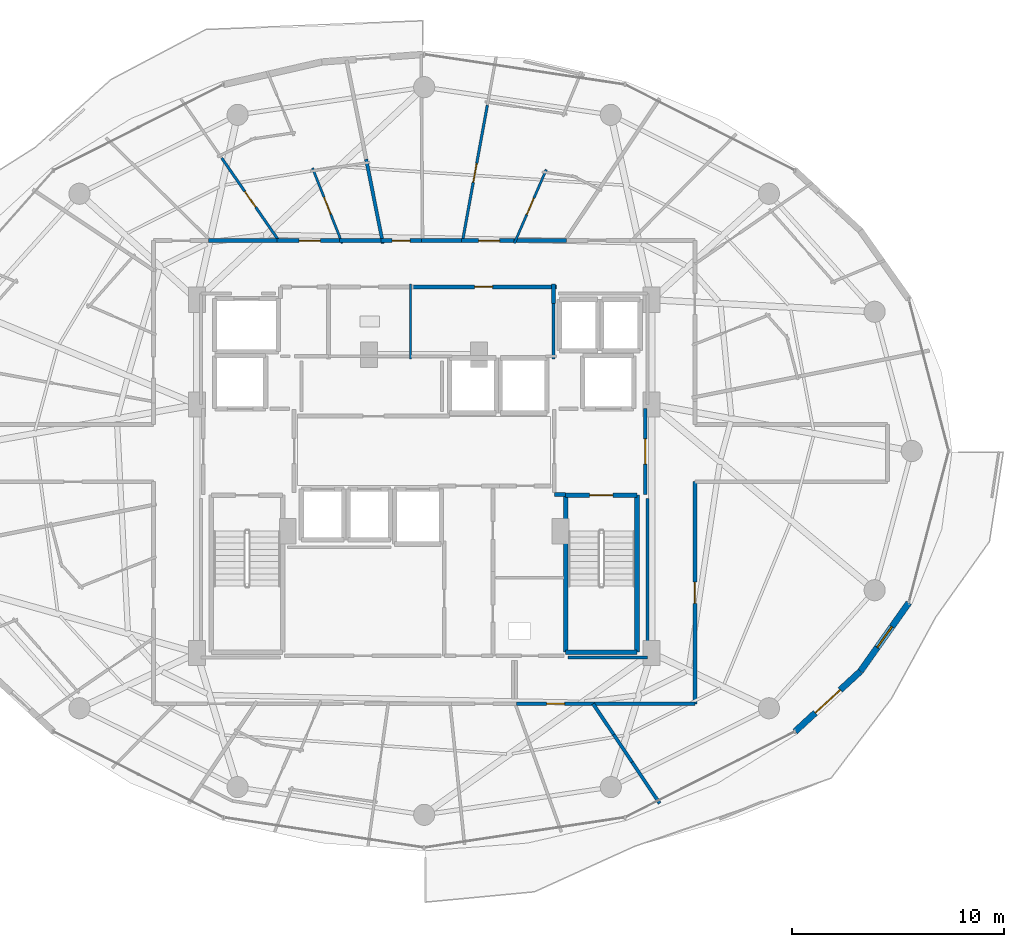
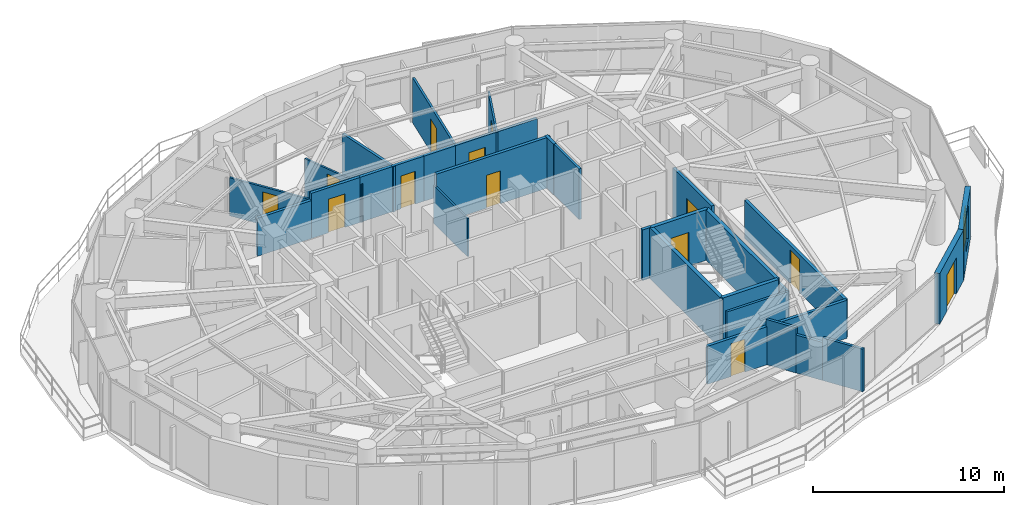
# One storey, part 24 of 30: 32 walls, 13 doors, 1 window, 14 openings.
"""IFC4 building model written with IfcOpenShell, lengths in metres."""

from ifc_helpers import new_model, si_unit, direction, frame, frame_2d, origin, place, context, subcontext, project, spatial, rectangle, extrude, material, layer, layer_set, type_object, element, fill, save


model = new_model("IFC4")

# Units and contexts
model_context = context("Model", 3, precision=1e-05, world=origin(), true_north=direction((0.0, 1.0)))
body_context = subcontext(model_context, "Body", "Model", "MODEL_VIEW")
ifc_project = project(units=[si_unit("LENGTHUNIT", "METRE"), si_unit("AREAUNIT", "SQUARE_METRE"), si_unit("VOLUMEUNIT", "CUBIC_METRE"), si_unit("PLANEANGLEUNIT", "RADIAN"), si_unit("MASSUNIT", "GRAM", prefix="KILO")], contexts=[model_context])

# Site, building, storey
site_placement = place(None, origin())
site = spatial("IfcSite", under=ifc_project, at=site_placement, CompositionType="ELEMENT")
building_placement = place(site_placement, origin())
building = spatial("IfcBuilding", under=site, at=building_placement, Name="Vorneva Point Tower", CompositionType="ELEMENT")
storey_placement = place(building_placement, frame((0.0, 0.0, 153.60009765625)))
storey = spatial("IfcBuildingStorey", under=building, at=storey_placement, Name="L41", CompositionType="ELEMENT", Elevation=153.60009765625)

# Wall, opening, door
ifc_material_1 = material(Name="Precast concrete B50 (C40/50)", Category="concrete")
ifc_layer_1 = layer(ifc_material_1, 0.300048828125)
ifc_layer_set_1 = layer_set([ifc_layer_1], Name="Precast concrete B50 (C40/50)")
wall_type_1 = type_object("IfcWallType", Name="WL-EXT-300", PredefinedType="STANDARD", material=ifc_layer_set_1)
wall_1_placement = place(storey_placement, frame((55.5361328125, 12.74169921875, 0.0), z_axis=(0.0, 0.0, 1.0), x_axis=(0.735477154165, 0.677549522693, 0.0)))
wall_1 = element("IfcWall", 1, at=wall_1_placement, inside=storey, type_object=wall_type_1, Name="L41 Pale-Metal Facade Spandrel Wall 15.1", PredefinedType="STANDARD", context=body_context, shape_type="SweptSolid", body=[
    extrude(rectangle(XDim=4.193603515625, YDim=0.300048828125, at=frame_2d((2.0966796875, 0.0))), origin(), (0.0, 0.0, 1.0), 3.239990234375),
])
opening_1_placement = place(wall_1_placement, frame((1.296875, 0.0, 0.0)))
opening_1 = element("IfcOpeningElement", 2, at=opening_1_placement, cuts=wall_1, Name="Opening BD-01", PredefinedType="OPENING", context=body_context, shape_type="SweptSolid", body=[
    extrude(rectangle(XDim=1.60009765625, YDim=2.300048828125, at=frame_2d((0.800048828125, 1.14990234375))), frame((0.0, 0.1650390625, 0.0), z_axis=(0.0, -1.0, 0.0), x_axis=(1.0, 0.0, 0.0)), (0.0, 0.0, 1.0), 0.329833984375),
])
ifc_material_2 = material(Name="Pale anodised aluminium", Category="aluminium")
door_type_1 = type_object("IfcDoorType", Name="DR-BAL-1600", OperationType="SLIDING_TO_LEFT", PredefinedType="DOOR", material=ifc_material_2)
door_1_placement = place(opening_1_placement, origin())
door_1 = element("IfcDoor", 3, at=door_1_placement, inside=storey, type_object=door_type_1, Name="L41 Balcony Terrace Access Door 15", OperationType="SLIDING_TO_LEFT", OverallHeight=2.300048828125, OverallWidth=1.60009765625, PredefinedType="DOOR", context=body_context, shape_type="SweptSolid", body=[
    extrude(rectangle(XDim=1.60009765625, YDim=2.300048828125, at=frame_2d((0.800048828125, 1.14990234375))), frame((0.0, 0.02490234375, 0.0), z_axis=(0.0, -1.0, 0.0), x_axis=(1.0, 0.0, 0.0)), (0.0, 0.0, 1.0), 0.050048828125),
])
fill(opening_1, door_1)

# Wall, opening, window
wall_2_placement = place(storey_placement, frame((58.620361328125, 15.5830078125, 0.0), z_axis=(0.0, 0.0, 1.0), x_axis=(0.577269753207, 0.816553508371, 0.0)))
wall_2 = element("IfcWall", 4, at=wall_2_placement, inside=storey, type_object=wall_type_1, Name="L41 Pale-Metal Facade Spandrel Wall 15.2", PredefinedType="STANDARD", context=body_context, shape_type="SweptSolid", body=[
    extrude(rectangle(XDim=3.969970703125, YDim=0.300048828125, at=frame_2d((1.98486328125, 0.0))), origin(), (0.0, 0.0, 1.0), 3.239990234375),
])
opening_2_placement = place(wall_2_placement, frame((1.385009765625, 0.0, 0.85009765625)))
opening_2 = element("IfcOpeningElement", 5, at=opening_2_placement, cuts=wall_2, Name="Opening W-04", PredefinedType="OPENING", context=body_context, shape_type="SweptSolid", body=[
    extrude(rectangle(XDim=1.199951171875, YDim=2.10009765625, at=frame_2d((0.60009765625, 1.050048828125))), frame((0.0, 0.1650390625, 0.0), z_axis=(0.0, -1.0, 0.0), x_axis=(1.0, 0.0, 0.0)), (0.0, 0.0, 1.0), 0.329833984375),
])
ifc_material_3 = material(Name="Double low-e laminated glass IGU", Category="glass")
window_type = type_object("IfcWindowType", Name="WN-RES-1200", PartitioningType="SINGLE_PANEL", PredefinedType="WINDOW", material=ifc_material_3)
window_placement = place(opening_2_placement, origin())
window = element("IfcWindow", 6, at=window_placement, inside=storey, type_object=window_type, Name="L41 Facade Window 15", OverallHeight=2.10009765625, OverallWidth=1.199951171875, PartitioningType="SINGLE_PANEL", PredefinedType="WINDOW", context=body_context, shape_type="SweptSolid", body=[
    extrude(rectangle(XDim=1.199951171875, YDim=2.10009765625, at=frame_2d((0.60009765625, 1.050048828125))), frame((0.0, 0.030029296875, 0.0), z_axis=(0.0, -1.0, 0.0), x_axis=(1.0, 0.0, 0.0)), (0.0, 0.0, 1.0), 0.06005859375),
])
fill(opening_2, window)

# Wall
ifc_material_4 = material(Name="Fire-rated acoustic gypsum stud partition", Category="gypsum")
ifc_layer_2 = layer(ifc_material_4, 0.110107421875)
ifc_layer_set_2 = layer_set([ifc_layer_2], Name="Fire-rated acoustic gypsum stud partition")
wall_type_2 = type_object("IfcWallType", Name="WL-PART-110", PredefinedType="PARTITIONING", material=ifc_layer_set_2)
wall_3_placement = place(storey_placement, frame((37.35009765625, 30.340087890625, 0.0), z_axis=(0.0, 0.0, 1.0), x_axis=(0.0, 1.0, 0.0)))
element("IfcWall", 7, at=wall_3_placement, inside=storey, type_object=wall_type_2, Name="L41 Interior Partition 019", PredefinedType="PARTITIONING", context=body_context, shape_type="SweptSolid", body=[
    extrude(rectangle(XDim=3.559814453125, YDim=0.110107421875, at=frame_2d((1.77978515625, 0.0))), origin(), (0.0, 0.0, 1.0), 2.431884765625),
])

# Wall, opening, door
wall_4_placement = place(storey_placement, frame((42.26123046875, 35.821533203125, 0.0), z_axis=(0.0, 0.0, 1.0), x_axis=(0.398098222937, 0.917342795739, 0.0)))
wall_4 = element("IfcWall", 8, at=wall_4_placement, inside=storey, type_object=wall_type_2, Name="L41 Interior Partition 076", PredefinedType="PARTITIONING", context=body_context, shape_type="SweptSolid", body=[
    extrude(rectangle(XDim=3.796630859375, YDim=0.110107421875, at=frame_2d((1.8984375, 0.0))), origin(), (0.0, 0.0, 1.0), 2.885986328125),
])
opening_3_placement = place(wall_4_placement, frame((1.473388671875, 0.0, 0.0)))
opening_3 = element("IfcOpeningElement", 9, at=opening_3_placement, cuts=wall_4, Name="Opening ID-02", PredefinedType="OPENING", context=body_context, shape_type="SweptSolid", body=[
    extrude(rectangle(XDim=0.85009765625, YDim=2.10009765625, at=frame_2d((0.425048828125, 1.050048828125))), frame((0.0, 0.06982421875, 0.0), z_axis=(0.0, -1.0, 0.0), x_axis=(1.0, 0.0, 0.0)), (0.0, 0.0, 1.0), 0.139892578125),
])
ifc_material_5 = material(Name="Engineered oak fire-rated door leaf", Category="wood")
door_type_2 = type_object("IfcDoorType", Name="DR-BATH-850", OperationType="NOTDEFINED", PredefinedType="DOOR", material=ifc_material_5)
door_2_placement = place(opening_3_placement, origin())
door_2 = element("IfcDoor", 10, at=door_2_placement, inside=storey, type_object=door_type_2, Name="L41 Door Living and Dining Room L41-02 / Bathroom L41-02", OperationType="SINGLE_SWING_LEFT", OverallHeight=2.10009765625, OverallWidth=0.85009765625, PredefinedType="DOOR", context=body_context, shape_type="SweptSolid", body=[
    extrude(rectangle(XDim=0.85009765625, YDim=2.10009765625, at=frame_2d((0.425048828125, 1.050048828125))), frame((0.0, 0.02490234375, 0.0), z_axis=(0.0, -1.0, 0.0), x_axis=(1.0, 0.0, 0.0)), (0.0, 0.0, 1.0), 0.050048828125),
])
fill(opening_3, door_2)

wall_5_placement = place(storey_placement, frame((34.122314453125, 35.81982421875, 0.0), z_axis=(0.0, 0.0, 1.0), x_axis=(-0.36711859649, 0.930174142896, 0.0)))
wall_5 = element("IfcWall", 11, at=wall_5_placement, inside=storey, type_object=wall_type_2, Name="L41 Interior Partition 087", PredefinedType="PARTITIONING", context=body_context, shape_type="SweptSolid", body=[
    extrude(rectangle(XDim=3.826416015625, YDim=0.110107421875, at=frame_2d((1.9130859375, 0.0))), origin(), (0.0, 0.0, 1.0), 2.431884765625),
])
opening_4_placement = place(wall_5_placement, frame((1.48828125, 0.0, 0.0)))
opening_4 = element("IfcOpeningElement", 12, at=opening_4_placement, cuts=wall_5, Name="Opening ID-02", PredefinedType="OPENING", context=body_context, shape_type="SweptSolid", body=[
    extrude(rectangle(XDim=0.85009765625, YDim=2.10009765625, at=frame_2d((0.425048828125, 1.050048828125))), frame((0.0, 0.06982421875, 0.0), z_axis=(0.0, -1.0, 0.0), x_axis=(1.0, 0.0, 0.0)), (0.0, 0.0, 1.0), 0.139892578125),
])
door_3_placement = place(opening_4_placement, origin())
door_3 = element("IfcDoor", 13, at=door_3_placement, inside=storey, type_object=door_type_2, Name="L41 Door Living and Dining Room L41-03 / Bathroom L41-03", OperationType="SINGLE_SWING_RIGHT", OverallHeight=2.10009765625, OverallWidth=0.85009765625, PredefinedType="DOOR", context=body_context, shape_type="SweptSolid", body=[
    extrude(rectangle(XDim=0.85009765625, YDim=2.10009765625, at=frame_2d((0.425048828125, 1.050048828125))), frame((0.0, 0.02490234375, 0.0), z_axis=(0.0, -1.0, 0.0), x_axis=(1.0, 0.0, 0.0)), (0.0, 0.0, 1.0), 0.050048828125),
])
fill(opening_4, door_3)

ifc_layer_3 = layer(ifc_material_4, 0.125)
ifc_layer_set_3 = layer_set([ifc_layer_3], Name="Fire-rated acoustic gypsum stud partition")
wall_type_3 = type_object("IfcWallType", Name="WL-PART-125", PredefinedType="PARTITIONING", material=ifc_layer_set_3)
wall_6_placement = place(storey_placement, frame((40.985595703125, 42.349365234375, 0.0), z_axis=(0.0, 0.0, 1.0), x_axis=(-0.179654893395, -0.983729698281, 0.0)))
wall_6 = element("IfcWall", 14, at=wall_6_placement, inside=storey, type_object=wall_type_3, Name="L41 Interior Partition 083", PredefinedType="PARTITIONING", context=body_context, shape_type="SweptSolid", body=[
    extrude(rectangle(XDim=6.50537109375, YDim=0.125, at=frame_2d((3.252685546875, 0.0))), origin(), (0.0, 0.0, 1.0), 2.885986328125),
])
opening_5_placement = place(wall_6_placement, frame((2.802490234375, 0.0, 0.0)))
opening_5 = element("IfcOpeningElement", 15, at=opening_5_placement, cuts=wall_6, Name="Opening ID-01", PredefinedType="OPENING", context=body_context, shape_type="SweptSolid", body=[
    extrude(rectangle(XDim=0.89990234375, YDim=2.10009765625, at=frame_2d((0.449951171875, 1.050048828125))), frame((0.0, 0.077392578125, 0.0), z_axis=(0.0, -1.0, 0.0), x_axis=(1.0, 0.0, 0.0)), (0.0, 0.0, 1.0), 0.15478515625),
])
door_type_3 = type_object("IfcDoorType", Name="DR-ROOM-900", OperationType="NOTDEFINED", PredefinedType="DOOR", material=ifc_material_5)
door_4_placement = place(opening_5_placement, origin())
door_4 = element("IfcDoor", 16, at=door_4_placement, inside=storey, type_object=door_type_3, Name="L41 Door Living and Dining Room L41-02 / Master Bedroom L41-02.1", OperationType="SINGLE_SWING_LEFT", OverallHeight=2.10009765625, OverallWidth=0.89990234375, PredefinedType="DOOR", context=body_context, shape_type="SweptSolid", body=[
    extrude(rectangle(XDim=0.89990234375, YDim=2.10009765625, at=frame_2d((0.449951171875, 1.050048828125))), frame((0.0, 0.02490234375, 0.0), z_axis=(0.0, -1.0, 0.0), x_axis=(1.0, 0.0, 0.0)), (0.0, 0.0, 1.0), 0.050048828125),
])
fill(opening_5, door_4)

wall_7_placement = place(storey_placement, frame((28.428466796875, 39.848876953125, 0.0), z_axis=(0.0, 0.0, 1.0), x_axis=(0.568542808453, -0.822653678626, 0.0)))
wall_7 = element("IfcWall", 17, at=wall_7_placement, inside=storey, type_object=wall_type_3, Name="L41 Interior Partition 093", PredefinedType="PARTITIONING", context=body_context, shape_type="SweptSolid", body=[
    extrude(rectangle(XDim=4.739501953125, YDim=0.125, at=frame_2d((2.36962890625, 0.0))), origin(), (0.0, 0.0, 1.0), 2.431884765625),
])
opening_6_placement = place(wall_7_placement, frame((1.919677734375, 0.0, 0.0)))
opening_6 = element("IfcOpeningElement", 18, at=opening_6_placement, cuts=wall_7, Name="Opening ID-01", PredefinedType="OPENING", context=body_context, shape_type="SweptSolid", body=[
    extrude(rectangle(XDim=0.89990234375, YDim=2.10009765625, at=frame_2d((0.449951171875, 1.050048828125))), frame((0.0, 0.077392578125, 0.0), z_axis=(0.0, -1.0, 0.0), x_axis=(1.0, 0.0, 0.0)), (0.0, 0.0, 1.0), 0.15478515625),
])
door_5_placement = place(opening_6_placement, origin())
door_5 = element("IfcDoor", 19, at=door_5_placement, inside=storey, type_object=door_type_3, Name="L41 Door Living and Dining Room L41-03 / Master Bedroom L41-03.1", OperationType="SINGLE_SWING_LEFT", OverallHeight=2.10009765625, OverallWidth=0.89990234375, PredefinedType="DOOR", context=body_context, shape_type="SweptSolid", body=[
    extrude(rectangle(XDim=0.89990234375, YDim=2.10009765625, at=frame_2d((0.449951171875, 1.050048828125))), frame((0.0, 0.02490234375, 0.0), z_axis=(0.0, -1.0, 0.0), x_axis=(1.0, 0.0, 0.0)), (0.0, 0.0, 1.0), 0.050048828125),
])
fill(opening_6, door_5)

# Walls
ifc_layer_4 = layer(ifc_material_4, 0.139892578125)
ifc_layer_set_4 = layer_set([ifc_layer_4], Name="Fire-rated acoustic gypsum stud partition")
wall_type_4 = type_object("IfcWallType", Name="WL-PART-140", PredefinedType="PARTITIONING", material=ifc_layer_set_4)
wall_8_placement = place(storey_placement, frame((44.1201171875, 30.340087890625, 0.0), z_axis=(0.0, 0.0, 1.0), x_axis=(0.0, 1.0, 0.0)))
element("IfcWall", 20, at=wall_8_placement, inside=storey, type_object=wall_type_4, Name="L41 Interior Closure Partition 140", PredefinedType="PARTITIONING", context=body_context, shape_type="SweptSolid", body=[
    extrude(rectangle(XDim=2.659912109375, YDim=0.139892578125, at=frame_2d((1.330078125, 0.0))), origin(), (0.0, 0.0, 1.0), 3.239990234375),
])
wall_9_placement = place(storey_placement, frame((44.804931640625, 16.239990234375, 0.0), z_axis=(0.0, 0.0, 1.0), x_axis=(1.0, 0.0, 0.0)))
element("IfcWall", 21, at=wall_9_placement, inside=storey, type_object=wall_type_4, Name="L41 Interior Closure Partition 144", PredefinedType="PARTITIONING", context=body_context, shape_type="SweptSolid", body=[
    extrude(rectangle(XDim=3.7451171875, YDim=0.139892578125, at=frame_2d((1.87255859375, 0.0))), origin(), (0.0, 0.0, 1.0), 2.431884765625),
])
wall_10_placement = place(storey_placement, frame((48.550048828125, 16.239990234375, 0.0), z_axis=(0.0, 0.0, 1.0), x_axis=(0.0, 1.0, 0.0)))
element("IfcWall", 22, at=wall_10_placement, inside=storey, type_object=wall_type_4, Name="L41 Interior Closure Partition 145", PredefinedType="PARTITIONING", context=body_context, shape_type="SweptSolid", body=[
    extrude(rectangle(XDim=7.513916015625, YDim=0.139892578125, at=frame_2d((3.7568359375, 0.0))), origin(), (0.0, 0.0, 1.0), 2.431884765625),
])
ifc_layer_5 = layer(ifc_material_4, 0.159912109375)
ifc_layer_set_5 = layer_set([ifc_layer_5], Name="Fire-rated acoustic gypsum stud partition")
wall_type_5 = type_object("IfcWallType", Name="WL-PART-160", PredefinedType="PARTITIONING", material=ifc_layer_set_5)
wall_11_placement = place(storey_placement, frame((35.255615234375, 39.79541015625, 0.0), z_axis=(0.0, 0.0, 1.0), x_axis=(0.195214230991, -0.980760625239, 0.0)))
element("IfcWall", 23, at=wall_11_placement, inside=storey, type_object=wall_type_5, Name="L41 Interior Partition 086", PredefinedType="PARTITIONING", context=body_context, shape_type="SweptSolid", body=[
    extrude(rectangle(XDim=4.060791015625, YDim=0.159912109375, at=frame_2d((2.0302734375, 0.0))), origin(), (0.0, 0.0, 1.0), 2.885986328125),
])
wall_12_placement = place(storey_placement, frame((49.131103515625, 9.341064453125, 0.0), z_axis=(0.0, 0.0, 1.0), x_axis=(-0.555659266741, 0.831410114976, 0.0)))
element("IfcWall", 24, at=wall_12_placement, inside=storey, type_object=wall_type_5, Name="L41 Interior Partition 133", PredefinedType="PARTITIONING", context=body_context, shape_type="SweptSolid", body=[
    extrude(rectangle(XDim=2.348876953125, YDim=0.159912109375, at=frame_2d((1.17431640625, 0.0))), origin(), (0.0, 0.0, 1.0), 2.727783203125),
])
wall_13_placement = place(storey_placement, frame((47.825927734375, 11.2939453125, 0.0), z_axis=(0.0, 0.0, 1.0), x_axis=(-0.55538732275, 0.831591799941, 0.0)))
element("IfcWall", 25, at=wall_13_placement, inside=storey, type_object=wall_type_5, Name="L41 Interior Partition 134", PredefinedType="PARTITIONING", context=body_context, shape_type="SweptSolid", body=[
    extrude(rectangle(XDim=1.557373046875, YDim=0.159912109375, at=frame_2d((0.77880859375, 0.0))), origin(), (0.0, 0.0, 1.0), 2.431884765625),
])
wall_14_placement = place(storey_placement, frame((46.9609375, 12.589111328125, 0.0), z_axis=(0.0, 0.0, 1.0), x_axis=(-0.555437554373, 0.83155825003, 0.0)))
element("IfcWall", 26, at=wall_14_placement, inside=storey, type_object=wall_type_5, Name="L41 Interior Partition 135", PredefinedType="PARTITIONING", context=body_context, shape_type="SweptSolid", body=[
    extrude(rectangle(XDim=1.7568359375, YDim=0.159912109375, at=frame_2d((0.87841796875, 0.0))), origin(), (0.0, 0.0, 1.0), 2.885986328125),
])
ifc_material_6 = material(Name="Autoclaved aerated concrete blockwork", Category="masonry")
ifc_layer_6 = layer(ifc_material_6, 0.179931640625)
ifc_layer_set_6 = layer_set([ifc_layer_6], Name="Autoclaved aerated concrete blockwork")
wall_type_6 = type_object("IfcWallType", Name="WL-PART-180", PredefinedType="PARTITIONING", material=ifc_layer_set_6)
wall_15_placement = place(storey_placement, frame((44.14990234375, 23.949951171875, 0.0), z_axis=(0.0, 0.0, 1.0), x_axis=(1.0, 0.0, 0.0)))
element("IfcWall", 27, at=wall_15_placement, inside=storey, type_object=wall_type_6, Name="L41 Interior Partition 004", PredefinedType="PARTITIONING", context=body_context, shape_type="SweptSolid", body=[
    extrude(rectangle(XDim=0.5400390625, YDim=0.179931640625, at=frame_2d((0.27001953125, 0.0))), origin(), (0.0, 0.0, 1.0), 3.239990234375),
])

# Wall, opening, door
wall_16_placement = place(storey_placement, frame((48.449951171875, 23.949951171875, 0.0), z_axis=(0.0, 0.0, 1.0), x_axis=(0.0, 1.0, 0.0)))
wall_16 = element("IfcWall", 28, at=wall_16_placement, inside=storey, type_object=wall_type_6, Name="L41 Interior Partition 005", PredefinedType="PARTITIONING", context=body_context, shape_type="SweptSolid", body=[
    extrude(rectangle(XDim=4.050048828125, YDim=0.179931640625, at=frame_2d((2.02490234375, 0.0))), origin(), (0.0, 0.0, 1.0), 3.239990234375),
])
opening_7_placement = place(wall_16_placement, frame((1.425048828125, 0.0, 0.0)))
opening_7 = element("IfcOpeningElement", 29, at=opening_7_placement, cuts=wall_16, Name="Opening FD-02", PredefinedType="OPENING", context=body_context, shape_type="SweptSolid", body=[
    extrude(rectangle(XDim=1.199951171875, YDim=2.14990234375, at=frame_2d((0.60009765625, 1.074951171875))), frame((0.0, 0.10498046875, 0.0), z_axis=(0.0, -1.0, 0.0), x_axis=(1.0, 0.0, 0.0)), (0.0, 0.0, 1.0), 0.209716796875),
])
ifc_material_7 = material(Name="Fire-rated powder-coated steel", Category="steel")
door_type_4 = type_object("IfcDoorType", Name="DR-FFL-1200", OperationType="NOTDEFINED", PredefinedType="DOOR", material=ifc_material_7)
door_6_placement = place(opening_7_placement, origin())
door_6 = element("IfcDoor", 30, at=door_6_placement, inside=storey, type_object=door_type_4, Name="L41 Door East Firefighting Lobby / L41 Circulation Corridor", OperationType="SINGLE_SWING_LEFT", OverallHeight=2.14990234375, OverallWidth=1.199951171875, PredefinedType="DOOR", context=body_context, shape_type="SweptSolid", body=[
    extrude(rectangle(XDim=1.199951171875, YDim=2.14990234375, at=frame_2d((0.60009765625, 1.074951171875))), frame((0.0, 0.02490234375, 0.0), z_axis=(0.0, -1.0, 0.0), x_axis=(1.0, 0.0, 0.0)), (0.0, 0.0, 1.0), 0.050048828125),
])
fill(opening_7, door_6)

wall_17_placement = place(storey_placement, frame((44.260009765625, 33.760009765625, 0.0), z_axis=(0.0, 0.0, 1.0), x_axis=(-1.0, 0.0, 0.0)))
wall_17 = element("IfcWall", 31, at=wall_17_placement, inside=storey, type_object=wall_type_6, Name="L41 Interior Partition 023", PredefinedType="PARTITIONING", context=body_context, shape_type="SweptSolid", body=[
    extrude(rectangle(XDim=6.909912109375, YDim=0.179931640625, at=frame_2d((3.455078125, 0.0))), origin(), (0.0, 0.0, 1.0), 3.239990234375),
])
opening_8_placement = place(wall_17_placement, frame((3.030029296875, 0.0, 0.0)))
opening_8 = element("IfcOpeningElement", 32, at=opening_8_placement, cuts=wall_17, Name="Opening ID-02", PredefinedType="OPENING", context=body_context, shape_type="SweptSolid", body=[
    extrude(rectangle(XDim=0.85009765625, YDim=2.10009765625, at=frame_2d((0.425048828125, 1.050048828125))), frame((0.0, 0.10498046875, 0.0), z_axis=(0.0, -1.0, 0.0), x_axis=(1.0, 0.0, 0.0)), (0.0, 0.0, 1.0), 0.209716796875),
])
door_7_placement = place(opening_8_placement, origin())
door_7 = element("IfcDoor", 33, at=door_7_placement, inside=storey, type_object=door_type_2, Name="L41 Door Public Restroom / L41 Circulation Corridor", OperationType="SINGLE_SWING_LEFT", OverallHeight=2.10009765625, OverallWidth=0.85009765625, PredefinedType="DOOR", context=body_context, shape_type="SweptSolid", body=[
    extrude(rectangle(XDim=0.85009765625, YDim=2.10009765625, at=frame_2d((0.425048828125, 1.050048828125))), frame((0.0, 0.02490234375, 0.0), z_axis=(0.0, -1.0, 0.0), x_axis=(1.0, 0.0, 0.0)), (0.0, 0.0, 1.0), 0.050048828125),
])
fill(opening_8, door_7)

# Wall
wall_18_placement = place(storey_placement, frame((44.1201171875, 32.969970703125, 0.0), z_axis=(0.0, 0.0, 1.0), x_axis=(0.0, 1.0, 0.0)))
element("IfcWall", 34, at=wall_18_placement, inside=storey, type_object=wall_type_6, Name="L41 Interior Partition 024", PredefinedType="PARTITIONING", context=body_context, shape_type="SweptSolid", body=[
    extrude(rectangle(XDim=0.929931640625, YDim=0.179931640625, at=frame_2d((0.46484375, 0.0))), origin(), (0.0, 0.0, 1.0), 3.239990234375),
])

# Wall, opening, door
wall_19_placement = place(storey_placement, frame((42.382080078125, 35.949951171875, 0.0), z_axis=(0.0, 0.0, 1.0), x_axis=(-1.0, 0.0, 0.0)))
wall_19 = element("IfcWall", 35, at=wall_19_placement, inside=storey, type_object=wall_type_6, Name="L41 Interior Partition 031", PredefinedType="PARTITIONING", context=body_context, shape_type="SweptSolid", body=[
    extrude(rectangle(XDim=2.625, YDim=0.179931640625, at=frame_2d((1.3125, 0.0))), origin(), (0.0, 0.0, 1.0), 2.885986328125),
])
opening_9_placement = place(wall_19_placement, frame((0.8125, 0.0, 0.0)))
opening_9 = element("IfcOpeningElement", 36, at=opening_9_placement, cuts=wall_19, Name="Opening UD-01", PredefinedType="OPENING", context=body_context, shape_type="SweptSolid", body=[
    extrude(rectangle(XDim=1.0, YDim=2.14990234375, at=frame_2d((0.5, 1.074951171875))), frame((0.0, 0.10498046875, 0.0), z_axis=(0.0, -1.0, 0.0), x_axis=(1.0, 0.0, 0.0)), (0.0, 0.0, 1.0), 0.209716796875),
])
door_type_5 = type_object("IfcDoorType", Name="DR-UNIT-1000", OperationType="NOTDEFINED", PredefinedType="DOOR", material=ifc_material_5)
door_8_placement = place(opening_9_placement, origin())
door_8 = element("IfcDoor", 37, at=door_8_placement, inside=storey, type_object=door_type_5, Name="L41 Door L41 Circulation Corridor / Living and Dining Room L41-02", OperationType="SINGLE_SWING_RIGHT", OverallHeight=2.14990234375, OverallWidth=1.0, PredefinedType="DOOR", context=body_context, shape_type="SweptSolid", body=[
    extrude(rectangle(XDim=1.0, YDim=2.14990234375, at=frame_2d((0.5, 1.074951171875))), frame((0.0, 0.02490234375, 0.0), z_axis=(0.0, -1.0, 0.0), x_axis=(1.0, 0.0, 0.0)), (0.0, 0.0, 1.0), 0.050048828125),
])
fill(opening_9, door_8)

# Walls
wall_20_placement = place(storey_placement, frame((44.72802734375, 35.949951171875, 0.0), z_axis=(0.0, 0.0, 1.0), x_axis=(-1.0, 0.0, 0.0)))
element("IfcWall", 38, at=wall_20_placement, inside=storey, type_object=wall_type_6, Name="L41 Interior Partition 032", PredefinedType="PARTITIONING", context=body_context, shape_type="SweptSolid", body=[
    extrude(rectangle(XDim=2.486083984375, YDim=0.179931640625, at=frame_2d((1.2431640625, 0.0))), origin(), (0.0, 0.0, 1.0), 2.885986328125),
])
wall_21_placement = place(storey_placement, frame((39.757080078125, 35.949951171875, 0.0), z_axis=(0.0, 0.0, 1.0), x_axis=(-1.0, 0.0, 0.0)))
element("IfcWall", 39, at=wall_21_placement, inside=storey, type_object=wall_type_6, Name="L41 Interior Partition 033", PredefinedType="PARTITIONING", context=body_context, shape_type="SweptSolid", body=[
    extrude(rectangle(XDim=1.89501953125, YDim=0.179931640625, at=frame_2d((0.947509765625, 0.0))), origin(), (0.0, 0.0, 1.0), 2.885986328125),
])

# Wall, opening, door
wall_22_placement = place(storey_placement, frame((37.862060546875, 35.949951171875, 0.0), z_axis=(0.0, 0.0, 1.0), x_axis=(-1.0, 0.0, 0.0)))
wall_22 = element("IfcWall", 40, at=wall_22_placement, inside=storey, type_object=wall_type_6, Name="L41 Interior Partition 034", PredefinedType="PARTITIONING", context=body_context, shape_type="SweptSolid", body=[
    extrude(rectangle(XDim=1.902099609375, YDim=0.179931640625, at=frame_2d((0.951171875, 0.0))), origin(), (0.0, 0.0, 1.0), 2.885986328125),
])
opening_10_placement = place(wall_22_placement, frame((0.52587890625, 0.0, 0.0)))
opening_10 = element("IfcOpeningElement", 41, at=opening_10_placement, cuts=wall_22, Name="Opening ID-02", PredefinedType="OPENING", context=body_context, shape_type="SweptSolid", body=[
    extrude(rectangle(XDim=0.85009765625, YDim=2.10009765625, at=frame_2d((0.425048828125, 1.050048828125))), frame((0.0, 0.10498046875, 0.0), z_axis=(0.0, -1.0, 0.0), x_axis=(1.0, 0.0, 0.0)), (0.0, 0.0, 1.0), 0.209716796875),
])
door_9_placement = place(opening_10_placement, origin())
door_9 = element("IfcDoor", 42, at=door_9_placement, inside=storey, type_object=door_type_2, Name="L41 Access Door L41 Circulation Corridor", OperationType="SINGLE_SWING_LEFT", OverallHeight=2.10009765625, OverallWidth=0.85009765625, PredefinedType="DOOR", context=body_context, shape_type="SweptSolid", body=[
    extrude(rectangle(XDim=0.85009765625, YDim=2.10009765625, at=frame_2d((0.425048828125, 1.050048828125))), frame((0.0, 0.02490234375, 0.0), z_axis=(0.0, -1.0, 0.0), x_axis=(1.0, 0.0, 0.0)), (0.0, 0.0, 1.0), 0.050048828125),
])
fill(opening_10, door_9)

wall_23_placement = place(storey_placement, frame((34.131103515625, 35.949951171875, 0.0), z_axis=(0.0, 0.0, 1.0), x_axis=(-1.0, 0.0, 0.0)))
wall_23 = element("IfcWall", 43, at=wall_23_placement, inside=storey, type_object=wall_type_6, Name="L41 Interior Partition 035", PredefinedType="PARTITIONING", context=body_context, shape_type="SweptSolid", body=[
    extrude(rectangle(XDim=3.0810546875, YDim=0.179931640625, at=frame_2d((1.54052734375, 0.0))), origin(), (0.0, 0.0, 1.0), 2.885986328125),
])
opening_11_placement = place(wall_23_placement, frame((1.04052734375, 0.0, 0.0)))
opening_11 = element("IfcOpeningElement", 44, at=opening_11_placement, cuts=wall_23, Name="Opening UD-01", PredefinedType="OPENING", context=body_context, shape_type="SweptSolid", body=[
    extrude(rectangle(XDim=1.0, YDim=2.14990234375, at=frame_2d((0.5, 1.074951171875))), frame((0.0, 0.10498046875, 0.0), z_axis=(0.0, -1.0, 0.0), x_axis=(1.0, 0.0, 0.0)), (0.0, 0.0, 1.0), 0.209716796875),
])
door_10_placement = place(opening_11_placement, origin())
door_10 = element("IfcDoor", 45, at=door_10_placement, inside=storey, type_object=door_type_5, Name="L41 Door L41 Circulation Corridor / Living and Dining Room L41-03", OperationType="SINGLE_SWING_LEFT", OverallHeight=2.14990234375, OverallWidth=1.0, PredefinedType="DOOR", context=body_context, shape_type="SweptSolid", body=[
    extrude(rectangle(XDim=1.0, YDim=2.14990234375, at=frame_2d((0.5, 1.074951171875))), frame((0.0, 0.02490234375, 0.0), z_axis=(0.0, -1.0, 0.0), x_axis=(1.0, 0.0, 0.0)), (0.0, 0.0, 1.0), 0.050048828125),
])
fill(opening_11, door_10)

# Walls
wall_24_placement = place(storey_placement, frame((36.10009765625, 35.949951171875, 0.0), z_axis=(0.0, 0.0, 1.0), x_axis=(-1.0, 0.0, 0.0)))
element("IfcWall", 46, at=wall_24_placement, inside=storey, type_object=wall_type_6, Name="L41 Interior Partition 036", PredefinedType="PARTITIONING", context=body_context, shape_type="SweptSolid", body=[
    extrude(rectangle(XDim=2.109130859375, YDim=0.179931640625, at=frame_2d((1.0546875, 0.0))), origin(), (0.0, 0.0, 1.0), 2.885986328125),
])
wall_25_placement = place(storey_placement, frame((31.050048828125, 35.949951171875, 0.0), z_axis=(0.0, 0.0, 1.0), x_axis=(-1.0, 0.0, 0.0)))
element("IfcWall", 47, at=wall_25_placement, inside=storey, type_object=wall_type_6, Name="L41 Interior Partition 037", PredefinedType="PARTITIONING", context=body_context, shape_type="SweptSolid", body=[
    extrude(rectangle(XDim=3.244140625, YDim=0.179931640625, at=frame_2d((1.6220703125, 0.0))), origin(), (0.0, 0.0, 1.0), 2.431884765625),
])

# Wall, opening, door
wall_26_placement = place(storey_placement, frame((42.365966796875, 14.050048828125, 0.0), z_axis=(0.0, 0.0, 1.0), x_axis=(1.0, 0.0, 0.0)))
wall_26 = element("IfcWall", 48, at=wall_26_placement, inside=storey, type_object=wall_type_6, Name="L41 Interior Partition 057", PredefinedType="PARTITIONING", context=body_context, shape_type="SweptSolid", body=[
    extrude(rectangle(XDim=3.69091796875, YDim=0.179931640625, at=frame_2d((1.845458984375, 0.0))), origin(), (0.0, 0.0, 1.0), 2.431884765625),
])
opening_12_placement = place(wall_26_placement, frame((1.42041015625, 0.0, 0.0)))
opening_12 = element("IfcOpeningElement", 49, at=opening_12_placement, cuts=wall_26, Name="Opening ID-02", PredefinedType="OPENING", context=body_context, shape_type="SweptSolid", body=[
    extrude(rectangle(XDim=0.85009765625, YDim=2.10009765625, at=frame_2d((0.425048828125, 1.050048828125))), frame((0.0, 0.10498046875, 0.0), z_axis=(0.0, -1.0, 0.0), x_axis=(1.0, 0.0, 0.0)), (0.0, 0.0, 1.0), 0.209716796875),
])
door_11_placement = place(opening_12_placement, origin())
door_11 = element("IfcDoor", 50, at=door_11_placement, inside=storey, type_object=door_type_2, Name="L41 Access Door L41 Circulation Corridor", OperationType="SINGLE_SWING_RIGHT", OverallHeight=2.10009765625, OverallWidth=0.85009765625, PredefinedType="DOOR", context=body_context, shape_type="SweptSolid", body=[
    extrude(rectangle(XDim=0.85009765625, YDim=2.10009765625, at=frame_2d((0.425048828125, 1.050048828125))), frame((0.0, 0.02490234375, 0.0), z_axis=(0.0, -1.0, 0.0), x_axis=(1.0, 0.0, 0.0)), (0.0, 0.0, 1.0), 0.050048828125),
])
fill(opening_12, door_11)

# Wall
wall_27_placement = place(storey_placement, frame((46.056884765625, 14.050048828125, 0.0), z_axis=(0.0, 0.0, 1.0), x_axis=(1.0, 0.0, 0.0)))
element("IfcWall", 51, at=wall_27_placement, inside=storey, type_object=wall_type_6, Name="L41 Interior Partition 058", PredefinedType="PARTITIONING", context=body_context, shape_type="SweptSolid", body=[
    extrude(rectangle(XDim=4.7431640625, YDim=0.179931640625, at=frame_2d((2.37158203125, 0.0))), origin(), (0.0, 0.0, 1.0), 2.431884765625),
])

# Wall, opening, door
wall_28_placement = place(storey_placement, frame((50.800048828125, 14.050048828125, 0.0), z_axis=(0.0, 0.0, 1.0), x_axis=(0.0, 1.0, 0.0)))
wall_28 = element("IfcWall", 52, at=wall_28_placement, inside=storey, type_object=wall_type_6, Name="L41 Interior Partition 059", PredefinedType="PARTITIONING", context=body_context, shape_type="SweptSolid", body=[
    extrude(rectangle(XDim=10.5, YDim=0.179931640625, at=frame_2d((5.25, 0.0))), origin(), (0.0, 0.0, 1.0), 2.431884765625),
])
opening_13_placement = place(wall_28_placement, frame((4.75, 0.0, 0.0)))
opening_13 = element("IfcOpeningElement", 53, at=opening_13_placement, cuts=wall_28, Name="Opening UD-01", PredefinedType="OPENING", context=body_context, shape_type="SweptSolid", body=[
    extrude(rectangle(XDim=1.0, YDim=2.14990234375, at=frame_2d((0.5, 1.074951171875))), frame((0.0, 0.10498046875, 0.0), z_axis=(0.0, -1.0, 0.0), x_axis=(1.0, 0.0, 0.0)), (0.0, 0.0, 1.0), 0.209716796875),
])
door_12_placement = place(opening_13_placement, origin())
door_12 = element("IfcDoor", 54, at=door_12_placement, inside=storey, type_object=door_type_5, Name="L41 Door L41 Circulation Corridor / Residents Sky Lounge L41-07", OperationType="SINGLE_SWING_LEFT", OverallHeight=2.14990234375, OverallWidth=1.0, PredefinedType="DOOR", context=body_context, shape_type="SweptSolid", body=[
    extrude(rectangle(XDim=1.0, YDim=2.14990234375, at=frame_2d((0.5, 1.074951171875))), frame((0.0, 0.02490234375, 0.0), z_axis=(0.0, -1.0, 0.0), x_axis=(1.0, 0.0, 0.0)), (0.0, 0.0, 1.0), 0.050048828125),
])
fill(opening_13, door_12)

ifc_material_8 = material(Name="Concrete B50 (C40/50)", Category="concrete")
ifc_layer_7 = layer(ifc_material_8, 0.219970703125)
ifc_layer_set_7 = layer_set([ifc_layer_7], Name="Concrete B50 (C40/50)")
wall_type_7 = type_object("IfcWallType", Name="WL-SHFT-220", PredefinedType="SOLIDWALL", material=ifc_layer_set_7)
wall_29_placement = place(storey_placement, frame((44.68994140625, 23.909912109375, 0.0), z_axis=(0.0, 0.0, 1.0), x_axis=(1.0, 0.0, 0.0)))
wall_29 = element("IfcWall", 55, at=wall_29_placement, inside=storey, type_object=wall_type_7, Name="L41 Exit Stair ST2 Shaft Wall near", PredefinedType="SOLIDWALL", context=body_context, shape_type="SweptSolid", body=[
    extrude(rectangle(XDim=3.3701171875, YDim=0.219970703125, at=frame_2d((1.68505859375, 0.0))), origin(), (0.0, 0.0, 1.0), 3.239990234375),
])
opening_14_placement = place(wall_29_placement, frame((1.135009765625, 0.0, 0.0)))
opening_14 = element("IfcOpeningElement", 56, at=opening_14_placement, cuts=wall_29, Name="Opening FD-01", PredefinedType="OPENING", context=body_context, shape_type="SweptSolid", body=[
    extrude(rectangle(XDim=1.10009765625, YDim=2.14990234375, at=frame_2d((0.550048828125, 1.074951171875))), frame((0.0, 0.125, 0.0), z_axis=(0.0, -1.0, 0.0), x_axis=(1.0, 0.0, 0.0)), (0.0, 0.0, 1.0), 0.249755859375),
])
door_type_6 = type_object("IfcDoorType", Name="DR-STAIR-1100", OperationType="NOTDEFINED", PredefinedType="DOOR", material=ifc_material_7)
door_13_placement = place(opening_14_placement, origin())
door_13 = element("IfcDoor", 57, at=door_13_placement, inside=storey, type_object=door_type_6, Name="L41 Exit Stair ST2 Fire Door", OperationType="SINGLE_SWING_RIGHT", OverallHeight=2.14990234375, OverallWidth=1.10009765625, PredefinedType="DOOR", context=body_context, shape_type="SweptSolid", body=[
    extrude(rectangle(XDim=1.10009765625, YDim=2.14990234375, at=frame_2d((0.550048828125, 1.074951171875))), frame((0.0, 0.02490234375, 0.0), z_axis=(0.0, -1.0, 0.0), x_axis=(1.0, 0.0, 0.0)), (0.0, 0.0, 1.0), 0.050048828125),
])
fill(opening_14, door_13)

# Walls
wall_30_placement = place(storey_placement, frame((48.06005859375, 23.909912109375, 0.0), z_axis=(0.0, 0.0, 1.0), x_axis=(0.0, -1.0, 0.0)))
element("IfcWall", 58, at=wall_30_placement, inside=storey, type_object=wall_type_7, Name="L41 Exit Stair ST2 Shaft Wall right", PredefinedType="SOLIDWALL", context=body_context, shape_type="SweptSolid", body=[
    extrude(rectangle(XDim=7.419921875, YDim=0.219970703125, at=frame_2d((3.7099609375, 0.0))), origin(), (0.0, 0.0, 1.0), 3.239990234375),
])
wall_31_placement = place(storey_placement, frame((48.06005859375, 16.489990234375, 0.0), z_axis=(0.0, 0.0, 1.0), x_axis=(-1.0, 0.0, 0.0)))
element("IfcWall", 59, at=wall_31_placement, inside=storey, type_object=wall_type_7, Name="L41 Exit Stair ST2 Shaft Wall far", PredefinedType="SOLIDWALL", context=body_context, shape_type="SweptSolid", body=[
    extrude(rectangle(XDim=3.3701171875, YDim=0.219970703125, at=frame_2d((1.68505859375, 0.0))), origin(), (0.0, 0.0, 1.0), 3.239990234375),
])
wall_32_placement = place(storey_placement, frame((44.68994140625, 16.489990234375, 0.0), z_axis=(0.0, 0.0, 1.0), x_axis=(0.0, 1.0, 0.0)))
element("IfcWall", 60, at=wall_32_placement, inside=storey, type_object=wall_type_7, Name="L41 Exit Stair ST2 Shaft Wall left", PredefinedType="SOLIDWALL", context=body_context, shape_type="SweptSolid", body=[
    extrude(rectangle(XDim=7.419921875, YDim=0.219970703125, at=frame_2d((3.7099609375, 0.0))), origin(), (0.0, 0.0, 1.0), 3.239990234375),
])

save(model, "model.ifc")
